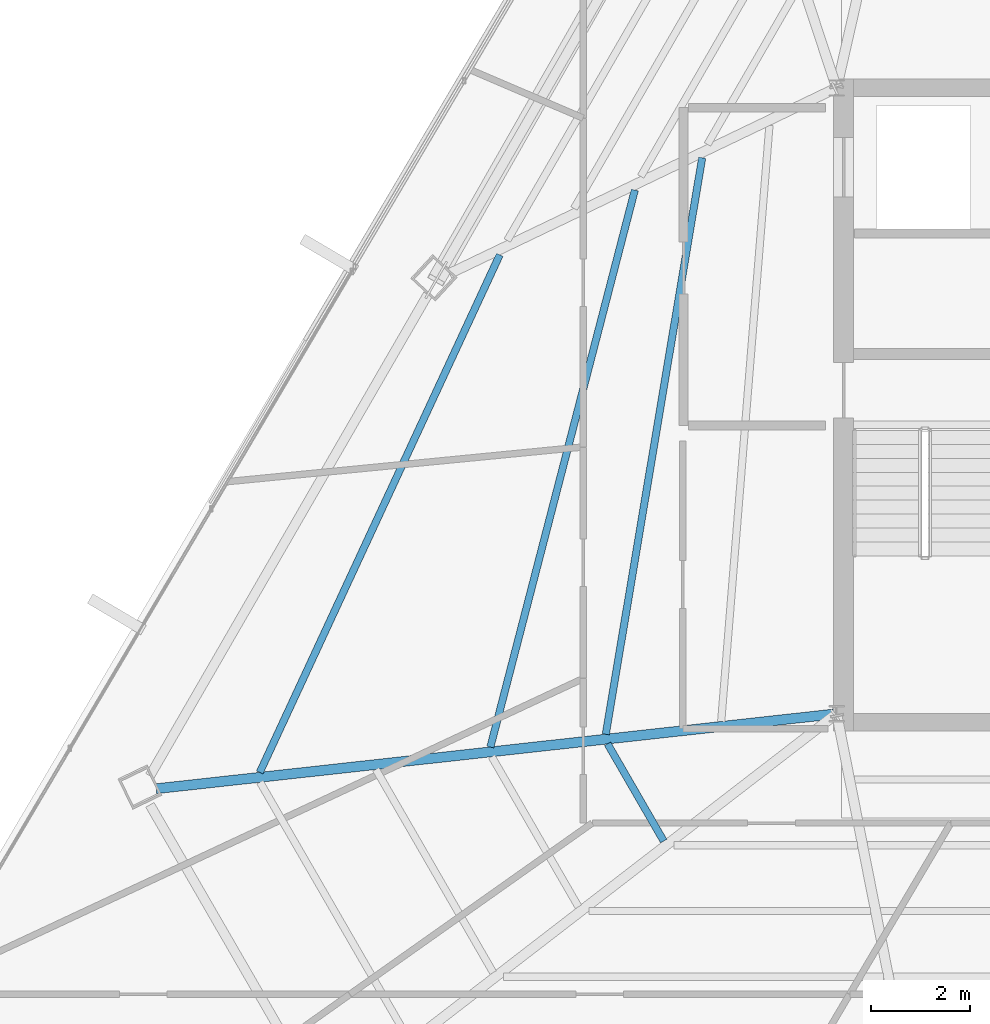
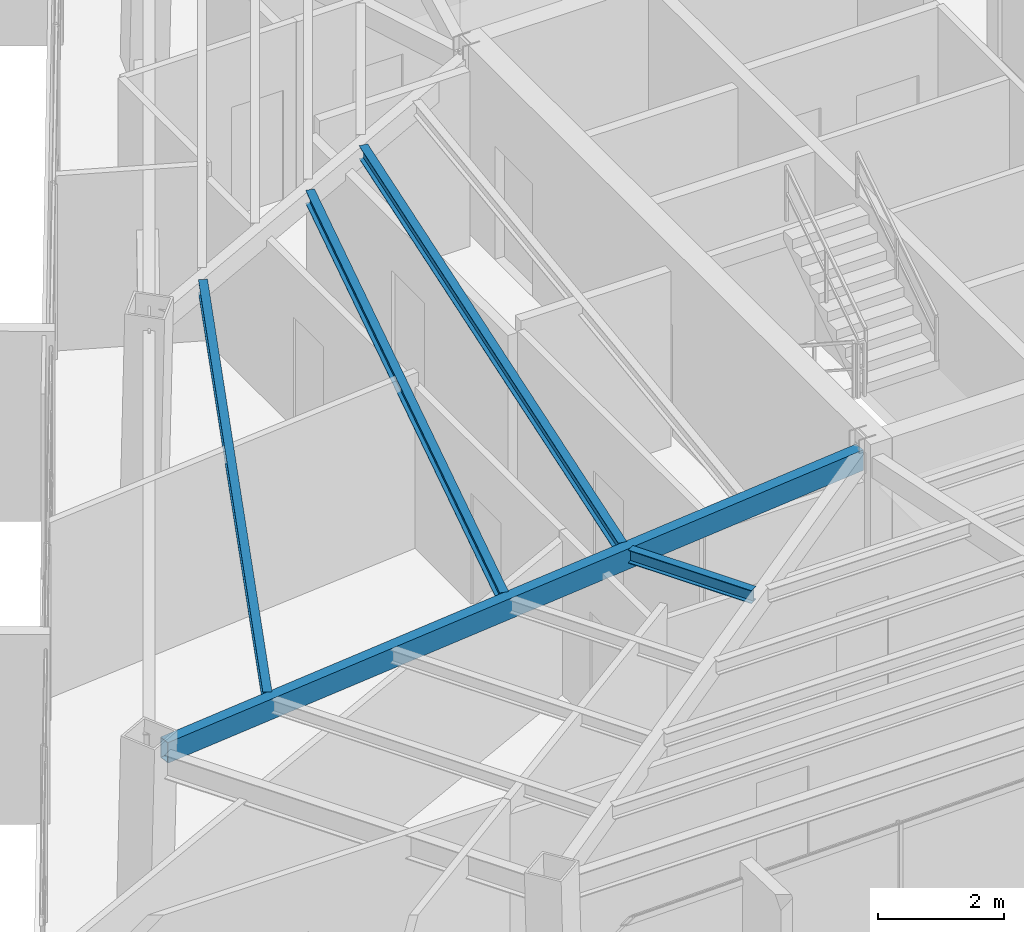
# One storey, part 10 of 44: 5 beams.
"""IFC4 building model written with IfcOpenShell, lengths in metres."""

from ifc_helpers import new_model, si_unit, direction, frame, origin, origin_2d, place, context, subcontext, project, spatial, hollow_rectangle, i_section, extrude, source, transform, mapped, material, material_profile, profile_set, type_object, type_shapes, element, save


model = new_model("IFC4")

# Units and contexts
model_context = context("Model", 3, precision=1e-05, world=origin(), true_north=direction((0.0, 1.0)))
body_context = subcontext(model_context, "Body", "Model", "MODEL_VIEW")
ifc_project = project(units=[si_unit("LENGTHUNIT", "METRE"), si_unit("AREAUNIT", "SQUARE_METRE"), si_unit("VOLUMEUNIT", "CUBIC_METRE"), si_unit("PLANEANGLEUNIT", "RADIAN"), si_unit("MASSUNIT", "GRAM", prefix="KILO")], contexts=[model_context])

# Site, building, storey
site_placement = place(None, origin())
site = spatial("IfcSite", under=ifc_project, at=site_placement, CompositionType="ELEMENT")
building_placement = place(site_placement, origin())
building = spatial("IfcBuilding", under=site, at=building_placement, Name="Caelisora Broadcast Tower", CompositionType="ELEMENT")
storey_placement = place(building_placement, frame((0.0, 0.0, 259.050048828125)))
storey = spatial("IfcBuildingStorey", under=building, at=storey_placement, Name="L68", CompositionType="ELEMENT", Elevation=259.050048828125)

# Beams
ifc_material_1 = material(Name="Steel Grade 350 (AS/NZS 1163 C350L0)", Category="steel")
ifc_material_profile_1 = material_profile(ifc_material_1, hollow_rectangle(XDim=0.199951171875, YDim=0.39990234375, WallThickness=0.012451171875, at=origin_2d()), Name="Steel Grade 350 (AS/NZS 1163 C350L0)")
ifc_profile_set_1 = profile_set([ifc_material_profile_1], Name="Steel Grade 350 (AS/NZS 1163 C350L0)")
beam_type_1 = type_object("IfcBeamType", Name="PG07", PredefinedType="BEAM", material=ifc_profile_set_1)
shared_shape_1 = source(origin(), body_context, "Body", "SweptSolid", [
    extrude(hollow_rectangle(XDim=0.199951171875, YDim=0.39990234375, WallThickness=0.012451171875, at=origin_2d()), origin(), (0.0, 0.0, 1.0), 13.720947265625),
])
type_shapes(beam_type_1, [shared_shape_1])
beam_1_placement = place(storey_placement, frame((30.4404296875, 17.393310546875, 3.199951171875), z_axis=(-0.9939809917, -0.109552672894, 0.0), x_axis=(0.109552672894, -0.9939809917, 0.0)))
element("IfcBeam", 1, at=beam_1_placement, inside=storey, type_object=beam_type_1, Name="L68 beam PG07", PredefinedType="BEAM", context=body_context, shape_type="MappedRepresentation", body=[
    mapped(shared_shape_1, transform((0.0, 0.0, 0.0), scale=1.0)),
])
ifc_material_2 = material(Name="Steel Grade 350 (AS/NZS 3679.1)", Category="steel")
ifc_material_profile_2 = material_profile(ifc_material_2, i_section(OverallWidth=0.14599609375, OverallDepth=0.256103515625, WebThickness=0.00634765625, FlangeThickness=0.010986328125, at=origin_2d()), Name="Steel Grade 350 (AS/NZS 3679.1)")
ifc_profile_set_2 = profile_set([ifc_material_profile_2], Name="Steel Grade 350 (AS/NZS 3679.1)")
beam_type_2 = type_object("IfcBeamType", Name="SB04", PredefinedType="JOIST", material=ifc_profile_set_2)
shared_shape_2 = source(origin(), body_context, "Body", "SweptSolid", [
    extrude(i_section(OverallWidth=0.14599609375, OverallDepth=0.256103515625, WebThickness=0.00634765625, FlangeThickness=0.010986328125, at=origin_2d()), origin(), (0.0, 0.0, 1.0), 11.769287109375),
])
beam_2_placement = place(storey_placement, frame((27.793212890625, 28.593505859375, 3.27197265625), z_axis=(-0.164953995728, -0.986301261934, 0.0), x_axis=(0.986301261934, -0.164953995728, 0.0)))
element("IfcBeam", 2, at=beam_2_placement, inside=storey, type_object=beam_type_2, Name="L68 beam SB04", PredefinedType="JOIST", context=body_context, shape_type="MappedRepresentation", body=[
    mapped(shared_shape_2, transform((0.0, 0.0, 0.0), scale=1.0)),
])
shared_shape_3 = source(origin(), body_context, "Body", "SweptSolid", [
    extrude(i_section(OverallWidth=0.14599609375, OverallDepth=0.256103515625, WebThickness=0.00634765625, FlangeThickness=0.010986328125, at=origin_2d()), origin(), (0.0, 0.0, 1.0), 11.584716796875),
])
beam_3_placement = place(storey_placement, frame((26.437255859375, 27.943115234375, 3.27197265625), z_axis=(-0.251040415632, -0.967976605977, 0.0), x_axis=(0.967976605977, -0.251040415632, 0.0)))
element("IfcBeam", 3, at=beam_3_placement, inside=storey, type_object=beam_type_2, Name="L68 beam SB04", PredefinedType="JOIST", context=body_context, shape_type="MappedRepresentation", body=[
    mapped(shared_shape_3, transform((0.0, 0.0, 0.0), scale=1.0)),
])
shared_shape_4 = source(origin(), body_context, "Body", "SweptSolid", [
    extrude(i_section(OverallWidth=0.14599609375, OverallDepth=0.256103515625, WebThickness=0.00634765625, FlangeThickness=0.010986328125, at=origin_2d()), origin(), (0.0, 0.0, 1.0), 11.485595703125),
])
beam_4_placement = place(storey_placement, frame((23.71728515625, 26.63818359375, 3.27197265625), z_axis=(-0.420635987439, -0.907229500221, 0.0), x_axis=(0.907229500221, -0.420635987439, 0.0)))
element("IfcBeam", 4, at=beam_4_placement, inside=storey, type_object=beam_type_2, Name="L68 beam SB04", PredefinedType="JOIST", context=body_context, shape_type="MappedRepresentation", body=[
    mapped(shared_shape_4, transform((0.0, 0.0, 0.0), scale=1.0)),
])
shared_shape_5 = source(origin(), body_context, "Body", "SweptSolid", [
    extrude(i_section(OverallWidth=0.14599609375, OverallDepth=0.256103515625, WebThickness=0.00634765625, FlangeThickness=0.010986328125, at=origin_2d()), origin(), (0.0, 0.0, 1.0), 2.259765625),
])
type_shapes(beam_type_2, [shared_shape_2, shared_shape_3, shared_shape_4, shared_shape_5])
beam_5_placement = place(storey_placement, frame((25.888427734375, 16.7939453125, 3.27197265625), z_axis=(0.4999967785, -0.866027263711, 0.0), x_axis=(0.866027263711, 0.4999967785, 0.0)))
element("IfcBeam", 5, at=beam_5_placement, inside=storey, type_object=beam_type_2, Name="L68 beam SB04", PredefinedType="JOIST", context=body_context, shape_type="MappedRepresentation", body=[
    mapped(shared_shape_5, transform((0.0, 0.0, 0.0), scale=1.0)),
])

save(model, "model.ifc")
